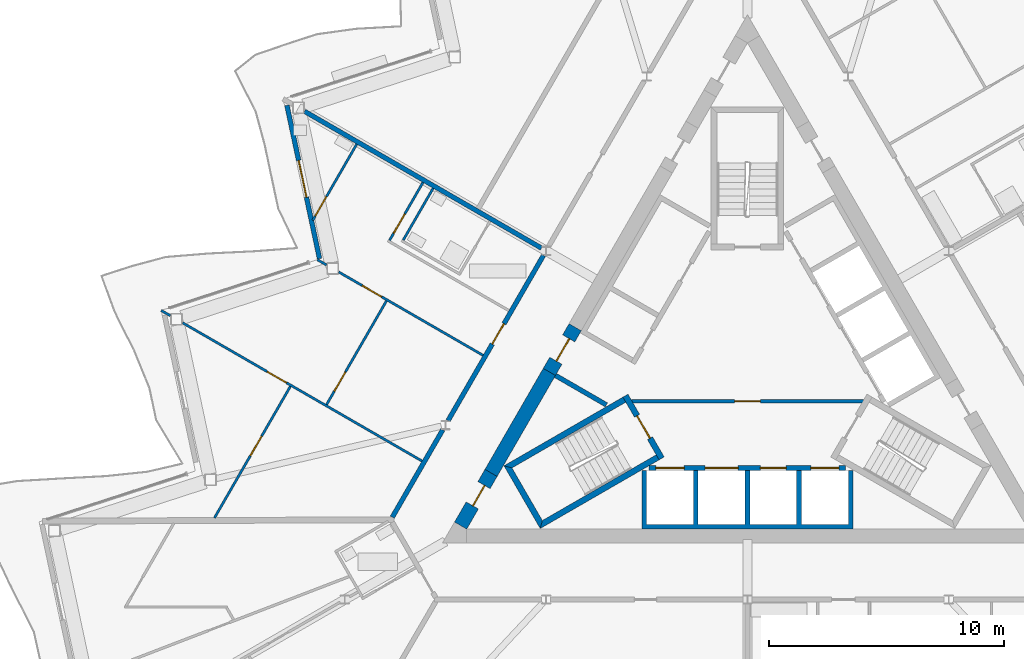
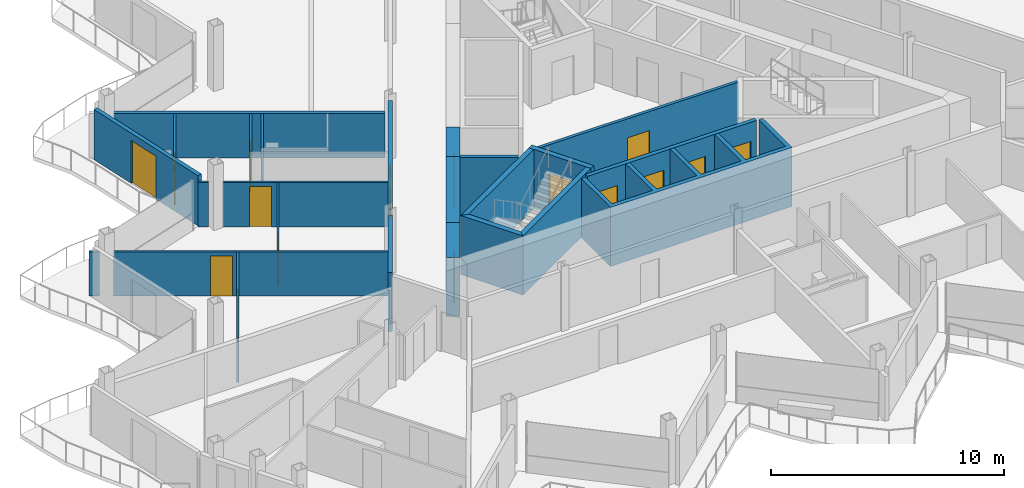
# One storey, part 14 of 27: 24 walls, 16 doors, 16 openings.
"""IFC4 building model written with IfcOpenShell, lengths in metres."""

from ifc_helpers import new_model, si_unit, direction, frame, frame_2d, origin, place, context, subcontext, project, spatial, polyline, rectangle, outline, extrude, material, layer, layer_set, type_object, element, fill, save


model = new_model("IFC4")

# Units and contexts
model_context = context("Model", 3, precision=1e-05, world=origin(), true_north=direction((0.0, 1.0)))
body_context = subcontext(model_context, "Body", "Model", "MODEL_VIEW")
ifc_project = project(units=[si_unit("LENGTHUNIT", "METRE"), si_unit("AREAUNIT", "SQUARE_METRE"), si_unit("VOLUMEUNIT", "CUBIC_METRE"), si_unit("PLANEANGLEUNIT", "RADIAN"), si_unit("MASSUNIT", "GRAM", prefix="KILO")], contexts=[model_context])

# Site, building, storey
site_placement = place(None, origin())
site = spatial("IfcSite", under=ifc_project, at=site_placement, CompositionType="ELEMENT")
building_placement = place(site_placement, origin())
building = spatial("IfcBuilding", under=site, at=building_placement, Name="Cormorant Prow Tower", CompositionType="ELEMENT")
storey_placement = place(building_placement, frame((0.0, 0.0, 361.0)))
storey = spatial("IfcBuildingStorey", under=building, at=storey_placement, Name="L80", CompositionType="ELEMENT", Elevation=361.0)

# Wall, opening, door
ifc_material_1 = material(Name="Gypsum board partition")
ifc_layer_1 = layer(ifc_material_1, 0.14990234375)
ifc_layer_set_1 = layer_set([ifc_layer_1], Name="Gypsum board partition")
wall_type_1 = type_object("IfcWallType", Name="Core partition 150", PredefinedType="PARTITIONING", material=ifc_layer_set_1)
wall_1_placement = place(storey_placement, frame((-4.941162109375, -1.449951171875, 0.0), z_axis=(0.0, 0.0, 1.0), x_axis=(1.0, 0.0, 0.0)))
wall_1 = element("IfcWall", 1, at=wall_1_placement, inside=storey, type_object=wall_type_1, Name="Firefighting lobby partition", PredefinedType="PARTITIONING", context=body_context, shape_type="SweptSolid", body=[
    extrude(rectangle(XDim=9.88232421875, YDim=0.14990234375, at=frame_2d((4.941162109375, 0.0))), origin(), (0.0, 0.0, 1.0), 3.10009765625),
])
opening_1_placement = place(wall_1_placement, frame((4.39111328125, 0.0, 0.0)))
opening_1 = element("IfcOpeningElement", 2, at=opening_1_placement, cuts=wall_1, Name="Opening L80-C11", PredefinedType="OPENING", context=body_context, shape_type="SweptSolid", body=[
    extrude(rectangle(XDim=1.10009765625, YDim=2.10009765625, at=frame_2d((0.550048828125, 1.050048828125))), frame((0.0, 0.0849609375, 0.0), z_axis=(0.0, -1.0, 0.0), x_axis=(1.0, 0.0, 0.0)), (0.0, 0.0, 1.0), 0.169921875),
])
ifc_material_2 = material(Name="Painted steel", Category="steel")
door_type_1 = type_object("IfcDoorType", Name="Firefighting lobby door 1100x2100", OperationType="NOTDEFINED", PredefinedType="DOOR", material=ifc_material_2)
door_1_placement = place(opening_1_placement, origin())
door_1 = element("IfcDoor", 3, at=door_1_placement, inside=storey, type_object=door_type_1, Name="Firefighting lobby door", OperationType="SINGLE_SWING_RIGHT", OverallHeight=2.10009765625, OverallWidth=1.10009765625, PredefinedType="DOOR", context=body_context, shape_type="SweptSolid", body=[
    extrude(rectangle(XDim=1.10009765625, YDim=2.10009765625, at=frame_2d((0.550048828125, 1.050048828125))), frame((0.0, 0.02490234375, 0.0), z_axis=(0.0, -1.0, 0.0), x_axis=(1.0, 0.0, 0.0)), (0.0, 0.0, 1.0), 0.050048828125),
])
fill(opening_1, door_1)

# Wall
ifc_material_3 = material(Name="Concrete 8000 psi", Category="concrete")
ifc_layer_2 = layer(ifc_material_3, 0.60009765625)
ifc_layer_set_2 = layer_set([ifc_layer_2], Name="Concrete 8000 psi")
wall_type_2 = type_object("IfcWallType", Name="Core shear wall 600", PredefinedType="SHEAR", material=ifc_layer_set_2)
wall_2_placement = place(storey_placement, frame((-8.440185546875, -0.207763671875, 0.0), z_axis=(0.0, 0.0, 1.0), x_axis=(-0.500007425856, -0.866021116422, 0.0)))
element("IfcWall", 4, at=wall_2_placement, inside=storey, type_object=wall_type_2, Name="Core wall", PredefinedType="SHEAR", context=body_context, shape_type="SweptSolid", body=[
    extrude(rectangle(XDim=4.96875, YDim=0.60009765625, at=frame_2d((2.484375, 0.0))), origin(), (0.0, 0.0, 1.0), 3.10009765625),
])

# Wall, opening, door
wall_3_placement = place(storey_placement, frame((-10.924560546875, -4.5107421875, 0.0), z_axis=(0.0, 0.0, 1.0), x_axis=(-0.500018667571, -0.866014625789, 0.0)))
wall_3 = element("IfcWall", 5, at=wall_3_placement, inside=storey, type_object=wall_type_2, Name="Core wall door panel", PredefinedType="SHEAR", context=body_context, shape_type="SweptSolid", body=[
    extrude(rectangle(XDim=2.59228515625, YDim=0.60009765625, at=frame_2d((1.296142578125, 0.0))), origin(), (0.0, 0.0, 1.0), 3.10009765625),
])
opening_2_placement = place(wall_3_placement, frame((0.60009765625, 0.0, 0.0)))
opening_2 = element("IfcOpeningElement", 6, at=opening_2_placement, cuts=wall_3, Name="Opening L80-C15", PredefinedType="OPENING", context=body_context, shape_type="SweptSolid", body=[
    extrude(rectangle(XDim=1.0, YDim=2.10009765625, at=frame_2d((0.5, 1.050048828125))), frame((0.0, 0.31005859375, 0.0), z_axis=(0.0, -1.0, 0.0), x_axis=(1.0, 0.0, 0.0)), (0.0, 0.0, 1.0), 0.6201171875),
])
ifc_material_4 = material(Name="Painted steel", Category="steel")
door_type_2 = type_object("IfcDoorType", Name="Service door 1000x2100", OperationType="NOTDEFINED", PredefinedType="DOOR", material=ifc_material_4)
door_2_placement = place(opening_2_placement, origin())
door_2 = element("IfcDoor", 7, at=door_2_placement, inside=storey, type_object=door_type_2, Name="Core door, Electrical room", OperationType="SINGLE_SWING_RIGHT", OverallHeight=2.10009765625, OverallWidth=1.0, PredefinedType="DOOR", context=body_context, shape_type="SweptSolid", body=[
    extrude(rectangle(XDim=1.0, YDim=2.10009765625, at=frame_2d((0.5, 1.050048828125))), frame((0.0, 0.05517578125, 0.0), z_axis=(0.0, -1.0, 0.0), x_axis=(1.0, 0.0, 0.0)), (0.0, 0.0, 1.0), 0.050048828125),
])
fill(opening_2, door_2)

wall_4_placement = place(storey_placement, frame((-7.340087890625, 1.697509765625, 0.0), z_axis=(0.0, 0.0, 1.0), x_axis=(-0.50002983664, -0.866008176907, 0.0)))
wall_4 = element("IfcWall", 8, at=wall_4_placement, inside=storey, type_object=wall_type_2, Name="Core wall door panel", PredefinedType="SHEAR", context=body_context, shape_type="SweptSolid", body=[
    extrude(rectangle(XDim=2.199951171875, YDim=0.60009765625, at=frame_2d((1.10009765625, 0.0))), origin(), (0.0, 0.0, 1.0), 3.10009765625),
])
opening_3_placement = place(wall_4_placement, frame((0.550048828125, 0.0, 0.0)))
opening_3 = element("IfcOpeningElement", 9, at=opening_3_placement, cuts=wall_4, Name="Opening L80-C20", PredefinedType="OPENING", context=body_context, shape_type="SweptSolid", body=[
    extrude(rectangle(XDim=1.10009765625, YDim=2.10009765625, at=frame_2d((0.550048828125, 1.050048828125))), frame((0.0, 0.31005859375, 0.0), z_axis=(0.0, -1.0, 0.0), x_axis=(1.0, 0.0, 0.0)), (0.0, 0.0, 1.0), 0.6201171875),
])
ifc_material_5 = material(Name="Painted steel", Category="steel")
door_type_3 = type_object("IfcDoorType", Name="Core door 1100x2100", OperationType="NOTDEFINED", PredefinedType="DOOR", material=ifc_material_5)
door_3_placement = place(opening_3_placement, origin())
door_3 = element("IfcDoor", 10, at=door_3_placement, inside=storey, type_object=door_type_3, Name="Core door, lift lobby", OperationType="SINGLE_SWING_RIGHT", OverallHeight=2.10009765625, OverallWidth=1.10009765625, PredefinedType="DOOR", context=body_context, shape_type="SweptSolid", body=[
    extrude(rectangle(XDim=1.10009765625, YDim=2.10009765625, at=frame_2d((0.550048828125, 1.050048828125))), frame((0.0, 0.05517578125, 0.0), z_axis=(0.0, -1.0, 0.0), x_axis=(1.0, 0.0, 0.0)), (0.0, 0.0, 1.0), 0.050048828125),
])
fill(opening_3, door_3)

ifc_material_6 = material(Name="Gypsum board corridor wall")
ifc_layer_3 = layer(ifc_material_6, 0.199951171875)
ifc_layer_set_3 = layer_set([ifc_layer_3], Name="Gypsum board corridor wall")
wall_type_3 = type_object("IfcWallType", Name="Corridor wall 200", PredefinedType="PARTITIONING", material=ifc_layer_set_3)
wall_5_placement = place(storey_placement, frame((-12.75390625, -2.279296875, 0.0), z_axis=(0.0, 0.0, 1.0), x_axis=(0.500001682468, 0.866024432409, 0.0)))
wall_5 = element("IfcWall", 11, at=wall_5_placement, inside=storey, type_object=wall_type_3, Name="Corridor wall", PredefinedType="PARTITIONING", context=body_context, shape_type="SweptSolid", body=[
    extrude(rectangle(XDim=8.12353515625, YDim=0.199951171875, at=frame_2d((4.061767578125, 0.0))), origin(), (0.0, 0.0, 1.0), 3.10009765625),
])
opening_4_placement = place(wall_5_placement, frame((3.762451171875, 0.0, 0.0)))
opening_4 = element("IfcOpeningElement", 12, at=opening_4_placement, cuts=wall_5, Name="Opening L80-F37", PredefinedType="OPENING", context=body_context, shape_type="SweptSolid", body=[
    extrude(rectangle(XDim=1.0, YDim=2.10009765625, at=frame_2d((0.5, 1.050048828125))), frame((0.0, 0.10986328125, 0.0), z_axis=(0.0, -1.0, 0.0), x_axis=(1.0, 0.0, 0.0)), (0.0, 0.0, 1.0), 0.219970703125),
])
ifc_material_7 = material(Name="Timber door leaf", Category="wood")
door_type_4 = type_object("IfcDoorType", Name="Flat or room entrance door 1000x2100", OperationType="NOTDEFINED", PredefinedType="DOOR", material=ifc_material_7)
door_4_placement = place(opening_4_placement, origin())
door_4 = element("IfcDoor", 13, at=door_4_placement, inside=storey, type_object=door_type_4, Name="Living room door", OperationType="SINGLE_SWING_RIGHT", OverallHeight=2.10009765625, OverallWidth=1.0, PredefinedType="DOOR", context=body_context, shape_type="SweptSolid", body=[
    extrude(rectangle(XDim=1.0, YDim=2.10009765625, at=frame_2d((0.5, 1.050048828125))), frame((0.0, 0.02490234375, 0.0), z_axis=(0.0, -1.0, 0.0), x_axis=(1.0, 0.0, 0.0)), (0.0, 0.0, 1.0), 0.050048828125),
])
fill(opening_4, door_4)

# Walls
wall_6_placement = place(storey_placement, frame((-15.13134765625, -6.397216796875, 0.0), z_axis=(0.0, 0.0, 1.0), x_axis=(0.499986217557, 0.866033360935, 0.0)))
element("IfcWall", 14, at=wall_6_placement, inside=storey, type_object=wall_type_3, Name="Corridor wall", PredefinedType="PARTITIONING", context=body_context, shape_type="SweptSolid", body=[
    extrude(rectangle(XDim=4.2998046875, YDim=0.199951171875, at=frame_2d((2.14990234375, 0.0))), origin(), (0.0, 0.0, 1.0), 3.10009765625),
])
ifc_material_8 = material(Name="Gypsum board demising wall")
ifc_layer_4 = layer(ifc_material_8, 0.199951171875)
ifc_layer_set_4 = layer_set([ifc_layer_4], Name="Gypsum board demising wall")
wall_type_4 = type_object("IfcWallType", Name="Demising wall 200", PredefinedType="PARTITIONING", material=ifc_layer_set_4)
wall_7_placement = place(storey_placement, frame((-18.86865234375, 10.893798828125, 0.0), z_axis=(0.0, 0.0, 1.0), x_axis=(0.866023724155, -0.500002909193, 0.0)))
element("IfcWall", 15, at=wall_7_placement, inside=storey, type_object=wall_type_4, Name="Demising wall", PredefinedType="PARTITIONING", context=body_context, shape_type="SweptSolid", body=[
    extrude(rectangle(XDim=11.65478515625, YDim=0.199951171875, at=frame_2d((5.827392578125, 0.0))), origin(), (0.0, 0.0, 1.0), 2.330078125),
])

# Wall, opening, door
ifc_material_9 = material(Name="Gypsum board partition")
ifc_layer_5 = layer(ifc_material_9, 0.10009765625)
ifc_layer_set_5 = layer_set([ifc_layer_5], Name="Gypsum board partition")
wall_type_5 = type_object("IfcWallType", Name="Internal partition 100", PredefinedType="PARTITIONING", material=ifc_layer_set_5)
wall_8_placement = place(storey_placement, frame((-24.068603515625, 1.88720703125, 0.0), z_axis=(0.0, 0.0, 1.0), x_axis=(0.866023404247, -0.500003463284, 0.0)))
wall_8 = element("IfcWall", 16, at=wall_8_placement, inside=storey, type_object=wall_type_5, Name="Internal partition", PredefinedType="PARTITIONING", context=body_context, shape_type="SweptSolid", body=[
    extrude(rectangle(XDim=11.7822265625, YDim=0.10009765625, at=frame_2d((5.89111328125, 0.0))), origin(), (0.0, 0.0, 1.0), 2.330078125),
])
opening_5_placement = place(wall_8_placement, frame((4.162109375, 0.0, 0.0)))
opening_5 = element("IfcOpeningElement", 17, at=opening_5_placement, cuts=wall_8, Name="Opening L80-F42", PredefinedType="OPENING", context=body_context, shape_type="SweptSolid", body=[
    extrude(rectangle(XDim=0.949951171875, YDim=2.10009765625, at=frame_2d((0.47509765625, 1.050048828125))), frame((0.0, 0.06005859375, 0.0), z_axis=(0.0, -1.0, 0.0), x_axis=(1.0, 0.0, 0.0)), (0.0, 0.0, 1.0), 0.1201171875),
])
ifc_material_10 = material(Name="Timber door leaf", Category="wood")
door_type_5 = type_object("IfcDoorType", Name="Bathroom door 950x2100", OperationType="NOTDEFINED", PredefinedType="DOOR", material=ifc_material_10)
door_5_placement = place(opening_5_placement, origin())
door_5 = element("IfcDoor", 18, at=door_5_placement, inside=storey, type_object=door_type_5, Name="Bedroom door", OperationType="SINGLE_SWING_RIGHT", OverallHeight=2.10009765625, OverallWidth=0.949951171875, PredefinedType="DOOR", context=body_context, shape_type="SweptSolid", body=[
    extrude(rectangle(XDim=0.949951171875, YDim=2.10009765625, at=frame_2d((0.47509765625, 1.050048828125))), frame((0.0, 0.02490234375, 0.0), z_axis=(0.0, -1.0, 0.0), x_axis=(1.0, 0.0, 0.0)), (0.0, 0.0, 1.0), 0.050048828125),
])
fill(opening_5, door_5)

wall_9_placement = place(storey_placement, frame((-17.413818359375, 4.04931640625, 0.0), z_axis=(0.0, 0.0, 1.0), x_axis=(0.866033839264, -0.499985389037, 0.0)))
wall_9 = element("IfcWall", 19, at=wall_9_placement, inside=storey, type_object=wall_type_5, Name="Internal partition", PredefinedType="PARTITIONING", context=body_context, shape_type="SweptSolid", body=[
    extrude(rectangle(XDim=7.099853515625, YDim=0.10009765625, at=frame_2d((3.5498046875, 0.0))), origin(), (0.0, 0.0, 1.0), 2.330078125),
])
opening_6_placement = place(wall_9_placement, frame((1.157958984375, 0.0, 0.0)))
opening_6 = element("IfcOpeningElement", 20, at=opening_6_placement, cuts=wall_9, Name="Opening L80-F40", PredefinedType="OPENING", context=body_context, shape_type="SweptSolid", body=[
    extrude(rectangle(XDim=0.949951171875, YDim=2.10009765625, at=frame_2d((0.47509765625, 1.050048828125))), frame((0.0, 0.06005859375, 0.0), z_axis=(0.0, -1.0, 0.0), x_axis=(1.0, 0.0, 0.0)), (0.0, 0.0, 1.0), 0.1201171875),
])
door_6_placement = place(opening_6_placement, origin())
door_6 = element("IfcDoor", 21, at=door_6_placement, inside=storey, type_object=door_type_5, Name="Living room door", OperationType="SINGLE_SWING_RIGHT", OverallHeight=2.10009765625, OverallWidth=0.949951171875, PredefinedType="DOOR", context=body_context, shape_type="SweptSolid", body=[
    extrude(rectangle(XDim=0.949951171875, YDim=2.10009765625, at=frame_2d((0.47509765625, 1.050048828125))), frame((0.0, 0.02490234375, 0.0), z_axis=(0.0, -1.0, 0.0), x_axis=(1.0, 0.0, 0.0)), (0.0, 0.0, 1.0), 0.050048828125),
])
fill(opening_6, door_6)

wall_10_placement = place(storey_placement, frame((-22.7099609375, -6.42919921875, 0.0), z_axis=(0.0, 0.0, 1.0), x_axis=(0.499984737558, 0.86603421538, 0.0)))
wall_10 = element("IfcWall", 22, at=wall_10_placement, inside=storey, type_object=wall_type_5, Name="Internal partition", PredefinedType="PARTITIONING", context=body_context, shape_type="SweptSolid", body=[
    extrude(rectangle(XDim=6.472900390625, YDim=0.10009765625, at=frame_2d((3.236328125, 0.0))), origin(), (0.0, 0.0, 1.0), 2.330078125),
])
opening_7_placement = place(wall_10_placement, frame((3.062744140625, 0.0, 0.0)))
opening_7 = element("IfcOpeningElement", 23, at=opening_7_placement, cuts=wall_10, Name="Opening L80-F43", PredefinedType="OPENING", context=body_context, shape_type="SweptSolid", body=[
    extrude(rectangle(XDim=0.949951171875, YDim=2.10009765625, at=frame_2d((0.47509765625, 1.050048828125))), frame((0.0, 0.06005859375, 0.0), z_axis=(0.0, -1.0, 0.0), x_axis=(1.0, 0.0, 0.0)), (0.0, 0.0, 1.0), 0.1201171875),
])
door_7_placement = place(opening_7_placement, origin())
door_7 = element("IfcDoor", 24, at=door_7_placement, inside=storey, type_object=door_type_5, Name="Bedroom door", OperationType="SINGLE_SWING_RIGHT", OverallHeight=2.10009765625, OverallWidth=0.949951171875, PredefinedType="DOOR", context=body_context, shape_type="SweptSolid", body=[
    extrude(rectangle(XDim=0.949951171875, YDim=2.10009765625, at=frame_2d((0.47509765625, 1.050048828125))), frame((0.0, 0.02490234375, 0.0), z_axis=(0.0, -1.0, 0.0), x_axis=(1.0, 0.0, 0.0)), (0.0, 0.0, 1.0), 0.050048828125),
])
fill(opening_7, door_7)

wall_11_placement = place(storey_placement, frame((-17.930908203125, -1.598876953125, 0.0), z_axis=(0.0, 0.0, 1.0), x_axis=(0.500005610874, 0.86602216432, 0.0)))
wall_11 = element("IfcWall", 25, at=wall_11_placement, inside=storey, type_object=wall_type_5, Name="Internal partition", PredefinedType="PARTITIONING", context=body_context, shape_type="SweptSolid", body=[
    extrude(rectangle(XDim=5.10009765625, YDim=0.10009765625, at=frame_2d((2.550048828125, 0.0))), origin(), (0.0, 0.0, 1.0), 2.330078125),
])
opening_8_placement = place(wall_11_placement, frame((0.655517578125, 0.0, 0.0)))
opening_8 = element("IfcOpeningElement", 26, at=opening_8_placement, cuts=wall_11, Name="Opening L80-F41", PredefinedType="OPENING", context=body_context, shape_type="SweptSolid", body=[
    extrude(rectangle(XDim=0.949951171875, YDim=2.10009765625, at=frame_2d((0.47509765625, 1.050048828125))), frame((0.0, 0.06005859375, 0.0), z_axis=(0.0, -1.0, 0.0), x_axis=(1.0, 0.0, 0.0)), (0.0, 0.0, 1.0), 0.1201171875),
])
door_8_placement = place(opening_8_placement, origin())
door_8 = element("IfcDoor", 27, at=door_8_placement, inside=storey, type_object=door_type_5, Name="Bedroom door", OperationType="SINGLE_SWING_LEFT", OverallHeight=2.10009765625, OverallWidth=0.949951171875, PredefinedType="DOOR", context=body_context, shape_type="SweptSolid", body=[
    extrude(rectangle(XDim=0.949951171875, YDim=2.10009765625, at=frame_2d((0.47509765625, 1.050048828125))), frame((0.0, 0.02490234375, 0.0), z_axis=(0.0, -1.0, 0.0), x_axis=(1.0, 0.0, 0.0)), (0.0, 0.0, 1.0), 0.050048828125),
])
fill(opening_8, door_8)

wall_12_placement = place(storey_placement, frame((-18.522705078125, 6.24658203125, 0.0), z_axis=(0.0, 0.0, 1.0), x_axis=(0.499981580887, 0.866036037803, 0.0)))
wall_12 = element("IfcWall", 28, at=wall_12_placement, inside=storey, type_object=wall_type_5, Name="Internal partition", PredefinedType="PARTITIONING", context=body_context, shape_type="SweptSolid", body=[
    extrude(rectangle(XDim=3.751708984375, YDim=0.10009765625, at=frame_2d((1.8759765625, 0.0))), origin(), (0.0, 0.0, 1.0), 2.330078125),
])
opening_9_placement = place(wall_12_placement, frame((0.222412109375, 0.0, 0.0)))
opening_9 = element("IfcOpeningElement", 29, at=opening_9_placement, cuts=wall_12, Name="Opening L80-F38", PredefinedType="OPENING", context=body_context, shape_type="SweptSolid", body=[
    extrude(rectangle(XDim=0.949951171875, YDim=2.10009765625, at=frame_2d((0.47509765625, 1.050048828125))), frame((0.0, 0.06005859375, 0.0), z_axis=(0.0, -1.0, 0.0), x_axis=(1.0, 0.0, 0.0)), (0.0, 0.0, 1.0), 0.1201171875),
])
door_9_placement = place(opening_9_placement, origin())
door_9 = element("IfcDoor", 30, at=door_9_placement, inside=storey, type_object=door_type_5, Name="Living room door", OperationType="SINGLE_SWING_LEFT", OverallHeight=2.10009765625, OverallWidth=0.949951171875, PredefinedType="DOOR", context=body_context, shape_type="SweptSolid", body=[
    extrude(rectangle(XDim=0.949951171875, YDim=2.10009765625, at=frame_2d((0.47509765625, 1.050048828125))), frame((0.0, 0.02490234375, 0.0), z_axis=(0.0, -1.0, 0.0), x_axis=(1.0, 0.0, 0.0)), (0.0, 0.0, 1.0), 0.050048828125),
])
fill(opening_9, door_9)

wall_13_placement = place(storey_placement, frame((-15.24951171875, 5.39794921875, 0.0), z_axis=(0.0, 0.0, 1.0), x_axis=(0.499935029643, 0.866062911188, 0.0)))
wall_13 = element("IfcWall", 31, at=wall_13_placement, inside=storey, type_object=wall_type_5, Name="Internal partition", PredefinedType="PARTITIONING", context=body_context, shape_type="SweptSolid", body=[
    extrude(rectangle(XDim=2.85009765625, YDim=0.10009765625, at=frame_2d((1.425048828125, 0.0))), origin(), (0.0, 0.0, 1.0), 2.330078125),
])
opening_10_placement = place(wall_13_placement, frame((0.35009765625, 0.0, 0.0)))
opening_10 = element("IfcOpeningElement", 32, at=opening_10_placement, cuts=wall_13, Name="Opening L80-F39", PredefinedType="OPENING", context=body_context, shape_type="SweptSolid", body=[
    extrude(rectangle(XDim=0.949951171875, YDim=2.10009765625, at=frame_2d((0.47509765625, 1.050048828125))), frame((0.0, 0.06005859375, 0.0), z_axis=(0.0, -1.0, 0.0), x_axis=(1.0, 0.0, 0.0)), (0.0, 0.0, 1.0), 0.1201171875),
])
door_10_placement = place(opening_10_placement, origin())
door_10 = element("IfcDoor", 33, at=door_10_placement, inside=storey, type_object=door_type_5, Name="Living room door", OperationType="SINGLE_SWING_LEFT", OverallHeight=2.10009765625, OverallWidth=0.949951171875, PredefinedType="DOOR", context=body_context, shape_type="SweptSolid", body=[
    extrude(rectangle(XDim=0.949951171875, YDim=2.10009765625, at=frame_2d((0.47509765625, 1.050048828125))), frame((0.0, 0.02490234375, 0.0), z_axis=(0.0, -1.0, 0.0), x_axis=(1.0, 0.0, 0.0)), (0.0, 0.0, 1.0), 0.050048828125),
])
fill(opening_10, door_10)

# Walls
wall_14_placement = place(storey_placement, frame((-14.66650390625, 5.40771484375, 0.0), z_axis=(0.0, 0.0, 1.0), x_axis=(0.499948979701, 0.866054858364, 0.0)))
element("IfcWall", 34, at=wall_14_placement, inside=storey, type_object=wall_type_5, Name="Internal partition", PredefinedType="PARTITIONING", context=body_context, shape_type="SweptSolid", body=[
    extrude(rectangle(XDim=2.550048828125, YDim=0.10009765625, at=frame_2d((1.27490234375, 0.0))), origin(), (0.0, 0.0, 1.0), 2.330078125),
])
for number, where, z_axis, x_axis, name in (
    (35, (-24.9794921875, 2.4130859375, 0.0), (0.0, 0.0, 1.0), (0.866104518135, -0.499862944882, 0.0), "Internal partition"),
    (36, (-18.32470703125, 4.5751953125, 0.0), (0.0, 0.0, 1.0), (0.866104518135, -0.499862944882, 0.0), "Internal partition"),
):
    element("IfcWall", number, at=place(storey_placement, frame(where, z_axis=z_axis, x_axis=x_axis)), inside=storey, type_object=wall_type_5, Name=name, PredefinedType="PARTITIONING", context=body_context, shape_type="SweptSolid", body=[
        extrude(rectangle(XDim=0.451416015625, YDim=0.10009765625, at=frame_2d((0.2255859375, 0.0))), origin(), (0.0, 0.0, 1.0), 2.330078125),
    ])

# Wall, openings, doors
ifc_material_11 = material(Name="Concrete 5000 psi", Category="concrete")
ifc_layer_6 = layer(ifc_material_11, 0.199951171875)
ifc_layer_set_6 = layer_set([ifc_layer_6], Name="Concrete 5000 psi")
wall_type_6 = type_object("IfcWallType", Name="Lift lobby wall 200", PredefinedType="SOLIDWALL", material=ifc_layer_set_6)
wall_15_placement = place(storey_placement, frame((-4.1865234375, -4.300048828125, 0.0), z_axis=(0.0, 0.0, 1.0), x_axis=(1.0, 0.0, 0.0)))
wall_15 = element("IfcWall", 37, at=wall_15_placement, inside=storey, type_object=wall_type_6, Name="Lift lobby wall, S block", PredefinedType="SOLIDWALL", context=body_context, shape_type="SweptSolid", body=[
    extrude(rectangle(XDim=8.373046875, YDim=0.199951171875, at=frame_2d((4.1865234375, 0.0))), origin(), (0.0, 0.0, 1.0), 3.10009765625),
])
opening_11_placement = place(wall_15_placement, frame((0.28662109375, 0.0, 0.0)))
opening_11 = element("IfcOpeningElement", 38, at=opening_11_placement, cuts=wall_15, Name="Opening L80-C01", PredefinedType="OPENING", context=body_context, shape_type="SweptSolid", body=[
    extrude(rectangle(XDim=1.199951171875, YDim=2.10009765625, at=frame_2d((0.60009765625, 1.050048828125))), frame((0.0, 0.10986328125, 0.0), z_axis=(0.0, -1.0, 0.0), x_axis=(1.0, 0.0, 0.0)), (0.0, 0.0, 1.0), 0.219970703125),
])
opening_12_placement = place(wall_15_placement, frame((2.38671875, 0.0, 0.0)))
opening_12 = element("IfcOpeningElement", 39, at=opening_12_placement, cuts=wall_15, Name="Opening L80-C02", PredefinedType="OPENING", context=body_context, shape_type="SweptSolid", body=[
    extrude(rectangle(XDim=1.39990234375, YDim=2.10009765625, at=frame_2d((0.699951171875, 1.050048828125))), frame((0.0, 0.10986328125, 0.0), z_axis=(0.0, -1.0, 0.0), x_axis=(1.0, 0.0, 0.0)), (0.0, 0.0, 1.0), 0.219970703125),
])
opening_13_placement = place(wall_15_placement, frame((4.736572265625, 0.0, 0.0)))
opening_13 = element("IfcOpeningElement", 40, at=opening_13_placement, cuts=wall_15, Name="Opening L80-C03", PredefinedType="OPENING", context=body_context, shape_type="SweptSolid", body=[
    extrude(rectangle(XDim=1.10009765625, YDim=2.10009765625, at=frame_2d((0.550048828125, 1.050048828125))), frame((0.0, 0.10986328125, 0.0), z_axis=(0.0, -1.0, 0.0), x_axis=(1.0, 0.0, 0.0)), (0.0, 0.0, 1.0), 0.219970703125),
])
opening_14_placement = place(wall_15_placement, frame((6.88671875, 0.0, 0.0)))
opening_14 = element("IfcOpeningElement", 41, at=opening_14_placement, cuts=wall_15, Name="Opening L80-C04", PredefinedType="OPENING", context=body_context, shape_type="SweptSolid", body=[
    extrude(rectangle(XDim=1.199951171875, YDim=2.10009765625, at=frame_2d((0.60009765625, 1.050048828125))), frame((0.0, 0.10986328125, 0.0), z_axis=(0.0, -1.0, 0.0), x_axis=(1.0, 0.0, 0.0)), (0.0, 0.0, 1.0), 0.219970703125),
])
ifc_material_12 = material(Name="Painted steel", Category="steel")
door_type_6 = type_object("IfcDoorType", Name="Firefighting lift landing door 1200x2100", OperationType="SLIDING_TO_LEFT", PredefinedType="DOOR", material=ifc_material_12)
door_11_placement = place(opening_11_placement, origin())
door_11 = element("IfcDoor", 42, at=door_11_placement, inside=storey, type_object=door_type_6, Name="Landing door FL1", OperationType="SLIDING_TO_LEFT", OverallHeight=2.10009765625, OverallWidth=1.199951171875, PredefinedType="DOOR", context=body_context, shape_type="SweptSolid", body=[
    extrude(rectangle(XDim=1.199951171875, YDim=2.10009765625, at=frame_2d((0.60009765625, 1.050048828125))), frame((0.0, 0.02490234375, 0.0), z_axis=(0.0, -1.0, 0.0), x_axis=(1.0, 0.0, 0.0)), (0.0, 0.0, 1.0), 0.050048828125),
])
fill(opening_11, door_11)
door_12_placement = place(opening_14_placement, origin())
door_12 = element("IfcDoor", 43, at=door_12_placement, inside=storey, type_object=door_type_6, Name="Landing door FL2", OperationType="SLIDING_TO_LEFT", OverallHeight=2.10009765625, OverallWidth=1.199951171875, PredefinedType="DOOR", context=body_context, shape_type="SweptSolid", body=[
    extrude(rectangle(XDim=1.199951171875, YDim=2.10009765625, at=frame_2d((0.60009765625, 1.050048828125))), frame((0.0, 0.02490234375, 0.0), z_axis=(0.0, -1.0, 0.0), x_axis=(1.0, 0.0, 0.0)), (0.0, 0.0, 1.0), 0.050048828125),
])
fill(opening_14, door_12)
ifc_material_13 = material(Name="Painted steel", Category="steel")
door_type_7 = type_object("IfcDoorType", Name="Lift landing door 1100x2100", OperationType="SLIDING_TO_LEFT", PredefinedType="DOOR", material=ifc_material_13)
door_13_placement = place(opening_13_placement, origin())
door_13 = element("IfcDoor", 44, at=door_13_placement, inside=storey, type_object=door_type_7, Name="Landing door HR1", OperationType="SLIDING_TO_LEFT", OverallHeight=2.10009765625, OverallWidth=1.10009765625, PredefinedType="DOOR", context=body_context, shape_type="SweptSolid", body=[
    extrude(rectangle(XDim=1.10009765625, YDim=2.10009765625, at=frame_2d((0.550048828125, 1.050048828125))), frame((0.0, 0.02490234375, 0.0), z_axis=(0.0, -1.0, 0.0), x_axis=(1.0, 0.0, 0.0)), (0.0, 0.0, 1.0), 0.050048828125),
])
fill(opening_13, door_13)
ifc_material_14 = material(Name="Painted steel", Category="steel")
door_type_8 = type_object("IfcDoorType", Name="Service lift landing door 1400x2100", OperationType="SLIDING_TO_LEFT", PredefinedType="DOOR", material=ifc_material_14)
door_14_placement = place(opening_12_placement, origin())
door_14 = element("IfcDoor", 45, at=door_14_placement, inside=storey, type_object=door_type_8, Name="Landing door SL1", OperationType="SLIDING_TO_LEFT", OverallHeight=2.10009765625, OverallWidth=1.39990234375, PredefinedType="DOOR", context=body_context, shape_type="SweptSolid", body=[
    extrude(rectangle(XDim=1.39990234375, YDim=2.10009765625, at=frame_2d((0.699951171875, 1.050048828125))), frame((0.0, 0.02490234375, 0.0), z_axis=(0.0, -1.0, 0.0), x_axis=(1.0, 0.0, 0.0)), (0.0, 0.0, 1.0), 0.050048828125),
])
fill(opening_12, door_14)

# Walls
ifc_material_15 = material(Name="Concrete 8000 psi", Category="concrete")
ifc_layer_7 = layer(ifc_material_15, 0.199951171875)
ifc_layer_set_7 = layer_set([ifc_layer_7], Name="Concrete 8000 psi")
wall_type_7 = type_object("IfcWallType", Name="Lift shaft wall 200", PredefinedType="SHEAR", material=ifc_layer_set_7)
wall_16_placement = place(storey_placement, origin())
element("IfcWall", 46, at=wall_16_placement, inside=storey, type_object=wall_type_7, Name="Lift shaft walls, S block", PredefinedType="SHEAR", context=body_context, shape_type="SweptSolid", body=[
    extrude(outline(polyline([(4.5, -4.39990234375), (4.5, -6.906005859375), (-4.5, -6.906005859375), (-4.5, -4.39990234375), (-4.300048828125, -4.39990234375), (-4.300048828125, -6.699951171875), (-2.300048828125, -6.699951171875), (-2.300048828125, -4.39990234375), (-2.10009765625, -4.39990234375), (-2.10009765625, -6.699951171875), (-0.10009765625, -6.699951171875), (-0.10009765625, -4.39990234375), (0.10009765625, -4.39990234375), (0.10009765625, -6.699951171875), (2.10009765625, -6.699951171875), (2.10009765625, -4.39990234375), (2.300048828125, -4.39990234375), (2.300048828125, -6.699951171875), (4.300048828125, -6.699951171875), (4.300048828125, -4.39990234375), (4.5, -4.39990234375)])), origin(), (0.0, 0.0, 1.0), 3.10009765625),
])
wall_17_placement = place(storey_placement, origin())
element("IfcWall", 47, at=wall_17_placement, inside=storey, type_object=wall_type_7, Name="Lift shaft walls, WNW block", PredefinedType="SHEAR", context=body_context, shape_type="SweptSolid", body=[
    extrude(outline(polyline([(-6.060546875, -1.697021484375), (-8.230712890625, -0.444091796875), (-8.130859375, -0.27099609375), (-5.96044921875, -1.52392578125), (-6.060546875, -1.697021484375)])), origin(), (0.0, 0.0, 1.0), 3.10009765625),
])
ifc_material_16 = material(Name="Concrete 8000 psi", Category="concrete")
ifc_layer_8 = layer(ifc_material_16, 0.25)
ifc_layer_set_8 = layer_set([ifc_layer_8], Name="Concrete 8000 psi")
wall_type_8 = type_object("IfcWallType", Name="Stair wall 250", PredefinedType="SHEAR", material=ifc_layer_set_8)
wall_18_placement = place(storey_placement, origin())
element("IfcWall", 48, at=wall_18_placement, inside=storey, type_object=wall_type_8, Name="Stair ST1 enclosure wall (flank)", PredefinedType="SHEAR", context=body_context, shape_type="SweptSolid", body=[
    extrude(outline(polyline([(-5.30712890625, -1.28125), (-10.37353515625, -4.206298828125), (-10.031982421875, -4.2978515625), (-5.18212890625, -1.497802734375), (-5.30712890625, -1.28125)])), origin(), (0.0, 0.0, 1.0), 3.10009765625),
])
wall_19_placement = place(storey_placement, origin())
element("IfcWall", 49, at=wall_19_placement, inside=storey, type_object=wall_type_8, Name="Stair ST1 enclosure wall (end)", PredefinedType="SHEAR", context=body_context, shape_type="SweptSolid", body=[
    extrude(outline(polyline([(-10.37353515625, -4.206298828125), (-8.82958984375, -6.880615234375), (-8.738037109375, -6.5390625), (-10.031982421875, -4.2978515625), (-10.37353515625, -4.206298828125)])), origin(), (0.0, 0.0, 1.0), 3.10009765625),
])
wall_20_placement = place(storey_placement, origin())
element("IfcWall", 50, at=wall_20_placement, inside=storey, type_object=wall_type_8, Name="Stair ST1 enclosure wall (flank)", PredefinedType="SHEAR", context=body_context, shape_type="SweptSolid", body=[
    extrude(outline(polyline([(-8.738037109375, -6.5390625), (-8.82958984375, -6.880615234375), (-3.76318359375, -3.95556640625), (-3.88818359375, -3.739013671875), (-8.738037109375, -6.5390625)])), origin(), (0.0, 0.0, 1.0), 3.10009765625),
])

# Wall, opening, door
wall_21_placement = place(storey_placement, frame((-5.198974609375, -1.21875, 0.0), z_axis=(0.0, 0.0, 1.0), x_axis=(0.499982516597, -0.866035497597, 0.0)))
wall_21 = element("IfcWall", 51, at=wall_21_placement, inside=storey, type_object=wall_type_8, Name="Stair ST1 door wall", PredefinedType="SHEAR", context=body_context, shape_type="SweptSolid", body=[
    extrude(rectangle(XDim=3.087890625, YDim=0.25, at=frame_2d((1.5439453125, 0.0))), origin(), (0.0, 0.0, 1.0), 3.10009765625),
])
opening_15_placement = place(wall_21_placement, frame((0.993896484375, 0.0, 0.0)))
opening_15 = element("IfcOpeningElement", 52, at=opening_15_placement, cuts=wall_21, Name="Opening L80-C12", PredefinedType="OPENING", context=body_context, shape_type="SweptSolid", body=[
    extrude(rectangle(XDim=1.10009765625, YDim=2.10009765625, at=frame_2d((0.550048828125, 1.050048828125))), frame((0.0, 0.135009765625, 0.0), z_axis=(0.0, -1.0, 0.0), x_axis=(1.0, 0.0, 0.0)), (0.0, 0.0, 1.0), 0.27001953125),
])
ifc_material_17 = material(Name="Painted steel", Category="steel")
door_type_9 = type_object("IfcDoorType", Name="Stair door 1100x2100", OperationType="NOTDEFINED", PredefinedType="DOOR", material=ifc_material_17)
door_15_placement = place(opening_15_placement, origin())
door_15 = element("IfcDoor", 53, at=door_15_placement, inside=storey, type_object=door_type_9, Name="Stair ST1 door", OperationType="SINGLE_SWING_LEFT", OverallHeight=2.10009765625, OverallWidth=1.10009765625, PredefinedType="DOOR", context=body_context, shape_type="SweptSolid", body=[
    extrude(rectangle(XDim=1.10009765625, YDim=2.10009765625, at=frame_2d((0.550048828125, 1.050048828125))), frame((0.0, 0.02490234375, 0.0), z_axis=(0.0, -1.0, 0.0), x_axis=(1.0, 0.0, 0.0)), (0.0, 0.0, 1.0), 0.050048828125),
])
fill(opening_15, door_15)

ifc_material_18 = material(Name="Terracotta", Category="masonry")
ifc_layer_9 = layer(ifc_material_18, 0.199951171875)
ifc_layer_set_9 = layer_set([ifc_layer_9], Name="Terracotta")
wall_type_9 = type_object("IfcWallType", Name="Terracotta jamb wall 200", PredefinedType="SOLIDWALL", material=ifc_layer_set_9)
wall_22_placement = place(storey_placement, frame((-19.6201171875, 11.150390625, 0.0), z_axis=(0.0, 0.0, 1.0), x_axis=(0.207933518746, -0.97814296081, 0.0)))
wall_22 = element("IfcWall", 54, at=wall_22_placement, inside=storey, type_object=wall_type_9, Name="Terracotta jamb wall WNW05", PredefinedType="SOLIDWALL", context=body_context, shape_type="SweptSolid", body=[
    extrude(rectangle(XDim=6.678466796875, YDim=0.199951171875, at=frame_2d((3.33935546875, 0.0))), origin(), (0.0, 0.0, 1.0), 2.6337890625),
])
opening_16_placement = place(wall_22_placement, frame((2.402099609375, 0.0, 0.0)))
opening_16 = element("IfcOpeningElement", 55, at=opening_16_placement, cuts=wall_22, Name="Opening ED80.13", PredefinedType="OPENING", context=body_context, shape_type="SweptSolid", body=[
    extrude(rectangle(XDim=1.60009765625, YDim=2.25, at=frame_2d((0.800048828125, 1.125))), frame((0.0, 0.10986328125, 0.0), z_axis=(0.0, -1.0, 0.0), x_axis=(1.0, 0.0, 0.0)), (0.0, 0.0, 1.0), 0.219970703125),
])
ifc_material_19 = material(Name="Aluminium 6063-T6", Category="aluminium")
door_type_10 = type_object("IfcDoorType", Name="Balcony door 1600x2250", OperationType="DOUBLE_DOOR_SINGLE_SWING", PredefinedType="DOOR", material=ifc_material_19)
door_16_placement = place(opening_16_placement, origin())
door_16 = element("IfcDoor", 56, at=door_16_placement, inside=storey, type_object=door_type_10, Name="Balcony door WNW05 ED80.13", OperationType="DOUBLE_DOOR_SINGLE_SWING", OverallHeight=2.25, OverallWidth=1.60009765625, PredefinedType="DOOR", context=body_context, shape_type="SweptSolid", body=[
    extrude(rectangle(XDim=1.60009765625, YDim=2.25, at=frame_2d((0.800048828125, 1.125))), frame((0.0, 0.02490234375, 0.0), z_axis=(0.0, -1.0, 0.0), x_axis=(1.0, 0.0, 0.0)), (0.0, 0.0, 1.0), 0.050048828125),
])
fill(opening_16, door_16)

save(model, "model.ifc")
